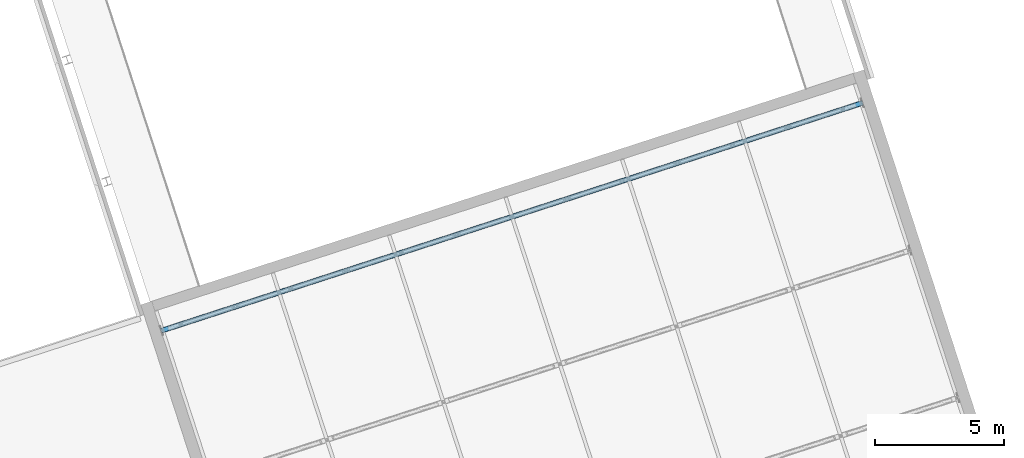
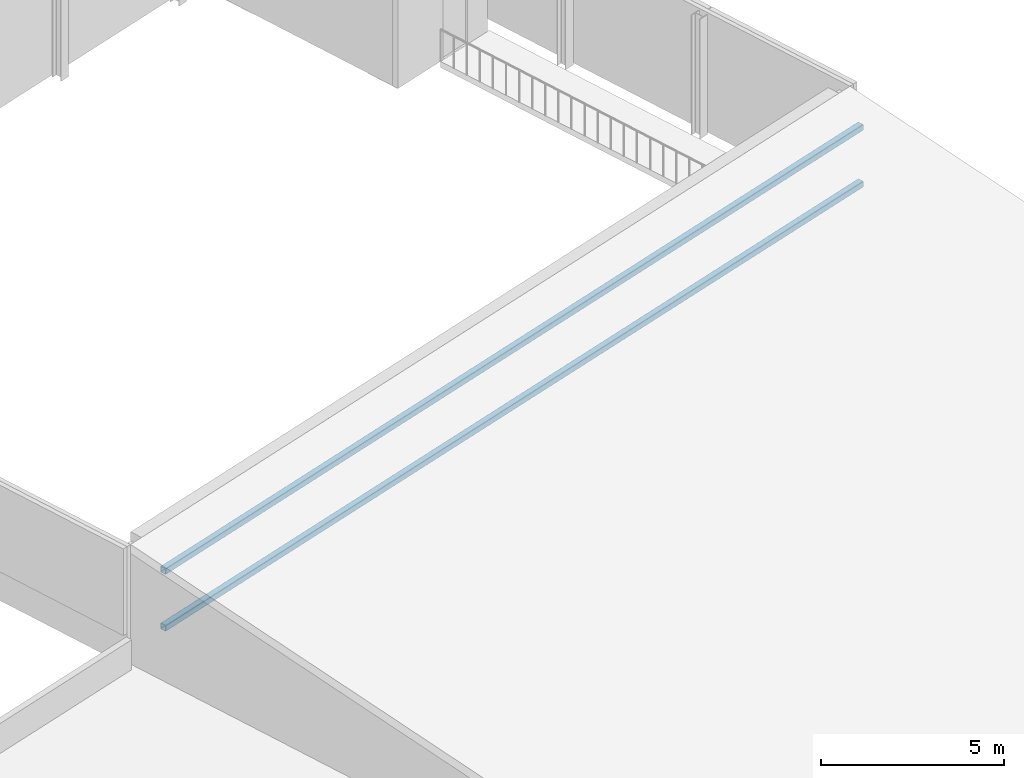
# One storey, part 11 of 55: 2 members.
"""IFC4 building model written with IfcOpenShell, lengths in metres."""

from ifc_helpers import new_model, si_unit, direction, frame, origin, origin_2d, place, context, subcontext, project, spatial, hollow_rectangle, extrude, material, material_profile, profile_set, type_object, element, save


model = new_model("IFC4")

# Units and contexts
model_context = context("Model", 3, precision=1e-05, world=origin(), true_north=direction((0.0, 1.0)))
body_context = subcontext(model_context, "Body", "Model", "MODEL_VIEW")
ifc_project = project(units=[si_unit("LENGTHUNIT", "METRE"), si_unit("AREAUNIT", "SQUARE_METRE"), si_unit("VOLUMEUNIT", "CUBIC_METRE"), si_unit("PLANEANGLEUNIT", "RADIAN"), si_unit("MASSUNIT", "GRAM", prefix="KILO")], contexts=[model_context])

# Site, building, storey
site_placement = place(None, origin())
site = spatial("IfcSite", under=ifc_project, at=site_placement, CompositionType="ELEMENT")
building_placement = place(site_placement, origin())
building = spatial("IfcBuilding", under=site, at=building_placement, Name="Tuart Plaza Theatre", CompositionType="ELEMENT")
storey_placement = place(building_placement, frame((0.0, 0.0, 21.5)))
storey = spatial("IfcBuildingStorey", under=building, at=storey_placement, Name="L05", CompositionType="ELEMENT", Elevation=21.5)

# Members
ifc_material = material(Name="Steel Grade C350L0", Category="steel")
ifc_material_profile = material_profile(ifc_material, hollow_rectangle(XDim=0.199951171875, YDim=0.199951171875, WallThickness=0.010009765625, InnerFilletRadius=0.010009765625, OuterFilletRadius=0.02001953125, at=origin_2d()), Name="200x200x10 SHS")
ifc_profile_set = profile_set([ifc_material_profile], Name="Steel Grade C350L0")
member_type = type_object("IfcMemberType", Name="MEMBER Chord 200x200x10 SHS", PredefinedType="CHORD", material=ifc_profile_set)
for number, where, z_axis, x_axis, name in (
    (1, (41.87060546875, 67.748046875, 1.3759765625), (0.951055495577, 0.309020135804, 0.0), (-0.309020135804, 0.951055495577, 0.0), "CH9"),
    (2, (41.87060546875, 67.748046875, 3.27587890625), (0.951055495577, 0.309020135804, 0.0), (-0.309020135804, 0.951055495577, 0.0), "CH10"),
):
    element("IfcMember", number, at=place(storey_placement, frame(where, z_axis=z_axis, x_axis=x_axis)), inside=storey, type_object=member_type, Name=name, PredefinedType="CHORD", context=body_context, shape_type="SweptSolid", body=[
        extrude(hollow_rectangle(XDim=0.199951171875, YDim=0.199951171875, WallThickness=0.010009765625, InnerFilletRadius=0.010009765625, OuterFilletRadius=0.02001953125, at=origin_2d()), origin(), (0.0, 0.0, 1.0), 28.550048828125),
    ])

save(model, "model.ifc")
